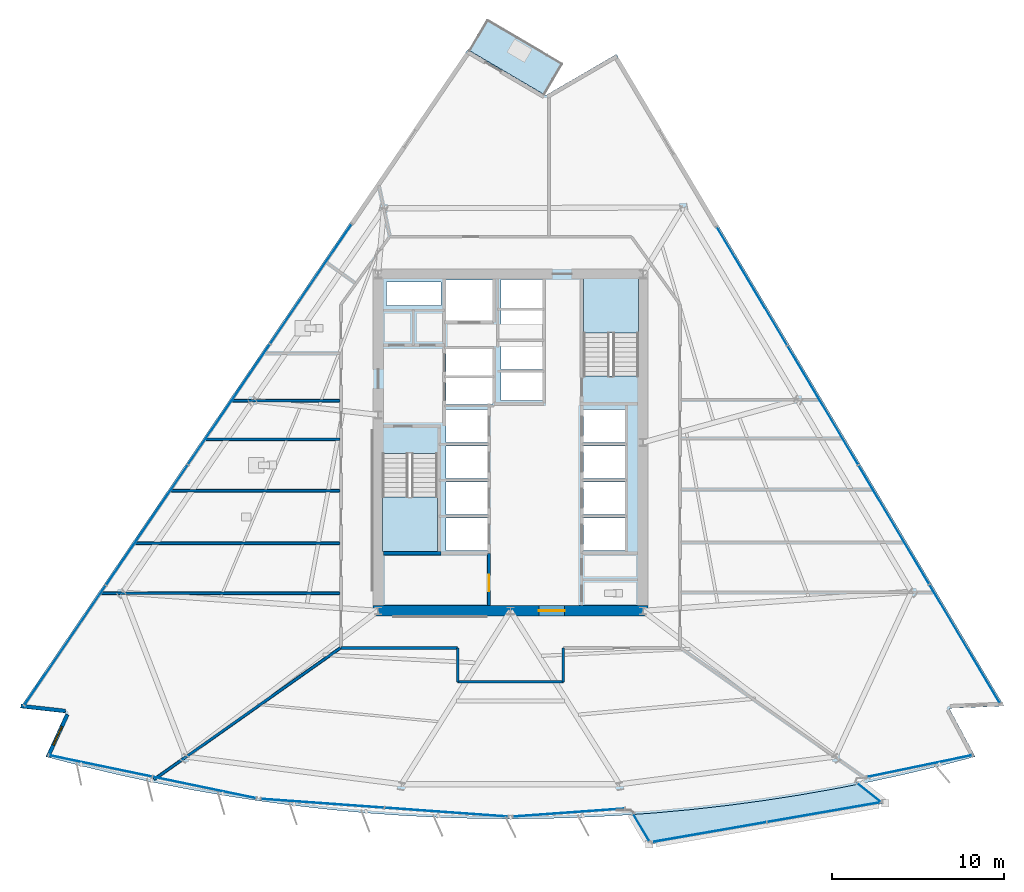
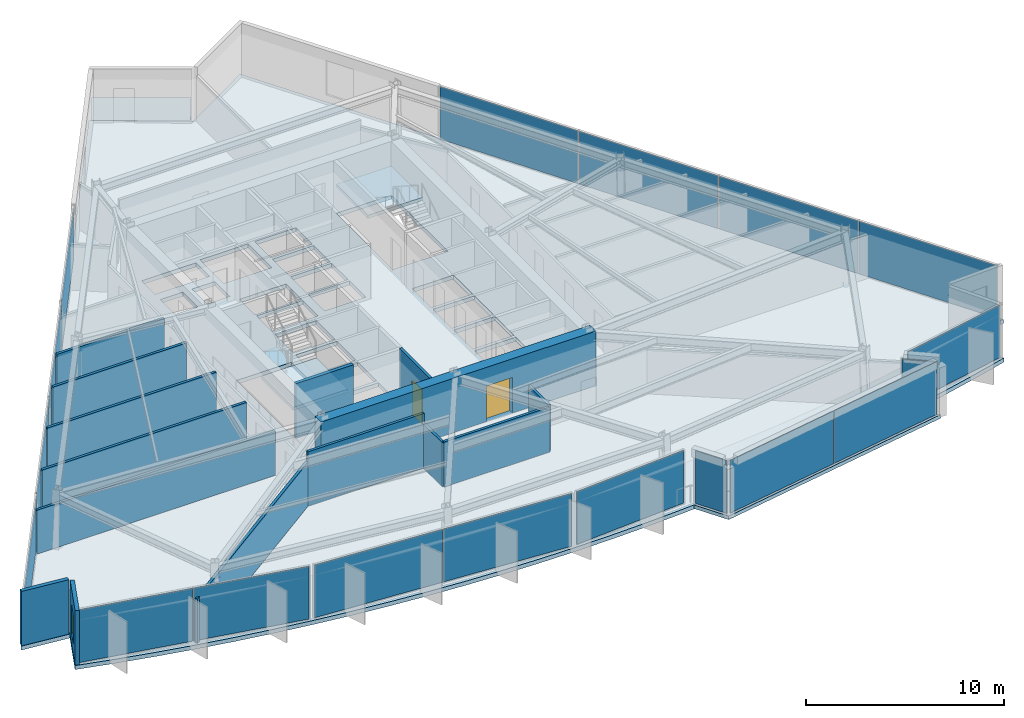
# One storey, part 7 of 15: 18 plates, 15 walls, 5 slabs, 2 doors, 1 window, 3 openings, 11 elements without a shape of their own.
"""IFC4 building model written with IfcOpenShell, lengths in metres."""

from ifc_helpers import new_model, si_unit, direction, frame, frame_2d, origin, origin_2d, place, context, subcontext, project, spatial, polyline, rectangle, outline, extrude, material, layer, layer_set, type_object, element, fill, aggregate, save


model = new_model("IFC4")

# Units and contexts
model_context = context("Model", 3, precision=1e-05, world=origin(), true_north=direction((0.0, 1.0)))
body_context = subcontext(model_context, "Body", "Model", "MODEL_VIEW")
ifc_project = project(units=[si_unit("LENGTHUNIT", "METRE"), si_unit("AREAUNIT", "SQUARE_METRE"), si_unit("VOLUMEUNIT", "CUBIC_METRE"), si_unit("PLANEANGLEUNIT", "RADIAN"), si_unit("MASSUNIT", "GRAM", prefix="KILO")], contexts=[model_context])

# Site, building, storey
site_placement = place(None, origin())
site = spatial("IfcSite", under=ifc_project, at=site_placement, CompositionType="ELEMENT")
building_placement = place(site_placement, origin())
building = spatial("IfcBuilding", under=site, at=building_placement, Name="Savorim Split Tower", CompositionType="ELEMENT")
storey_placement = place(building_placement, frame((0.0, 0.0, 96.89990234375)))
storey = spatial("IfcBuildingStorey", under=building, at=storey_placement, Name="L25", CompositionType="ELEMENT", Elevation=96.89990234375)

# Curtain wall, plates
ifc_material_1 = material(Name="Dark Ceramic-Fritted Insulated Glass", Category="glass")
curtain_wall_type_1 = type_object("IfcCurtainWallType", Name="CW-TWR-FRIT-A", PredefinedType="NOTDEFINED", material=ifc_material_1)
curtain_wall_1_placement = place(storey_placement, origin())
curtain_wall_1 = element("IfcCurtainWall", 1, at=curtain_wall_1_placement, inside=storey, type_object=curtain_wall_type_1, Name="L25 Curtain Wall CW-L25-SF1A", PredefinedType="NOTDEFINED")
ifc_layer_1 = layer(ifc_material_1, 0.028076171875)
ifc_layer_set_1 = layer_set([ifc_layer_1], Name="CWP-FRITA-28")
plate_type_1 = type_object("IfcPlateType", Name="CWP-FRITA-28", PredefinedType="CURTAIN_PANEL", material=ifc_layer_set_1)
plate_1_placement = place(storey_placement, frame((-23.858642578125, -18.420166015625, 0.05517578125), z_axis=(0.0, 0.0, 1.0), x_axis=(0.979134683898, -0.203212378529, 0.0)))
plate_1 = element("IfcPlate", 2, at=plate_1_placement, type_object=plate_type_1, Name="CW-02 panel 1.1", PredefinedType="CURTAIN_PANEL", context=body_context, shape_type="SweptSolid", body=[
    extrude(rectangle(XDim=6.112060546875, YDim=0.028076171875, at=origin_2d()), origin(), (0.0, 0.0, 1.0), 3.239990234375),
])
plate_2_placement = place(storey_placement, frame((-17.810546875, -19.675537109375, 0.05517578125), z_axis=(0.0, 0.0, 1.0), x_axis=(0.979134683898, -0.203212378529, 0.0)))
plate_2 = element("IfcPlate", 3, at=plate_2_placement, type_object=plate_type_1, Name="CW-02 panel 2.1", PredefinedType="CURTAIN_PANEL", context=body_context, shape_type="SweptSolid", body=[
    extrude(rectangle(XDim=6.112060546875, YDim=0.028076171875, at=origin_2d()), origin(), (0.0, 0.0, 1.0), 3.239990234375),
])
aggregate(curtain_wall_1, [plate_1, plate_2])

curtain_wall_2_placement = place(storey_placement, origin())
curtain_wall_2 = element("IfcCurtainWall", 4, at=curtain_wall_2_placement, inside=storey, type_object=curtain_wall_type_1, Name="L25 Curtain Wall CW-L25-SF2A", PredefinedType="NOTDEFINED")
plate_3_placement = place(storey_placement, frame((-10.936279296875, -20.595947265625, 0.05517578125), z_axis=(0.0, 0.0, 1.0), x_axis=(0.99743613418, -0.071562268211, 0.0)))
plate_3 = element("IfcPlate", 5, at=plate_3_placement, type_object=plate_type_1, Name="CW-02 panel 1.1", PredefinedType="CURTAIN_PANEL", context=body_context, shape_type="SweptSolid", body=[
    extrude(rectangle(XDim=7.161865234375, YDim=0.028076171875, at=origin_2d()), origin(), (0.0, 0.0, 1.0), 3.239990234375),
])
plate_4_placement = place(storey_placement, frame((-3.727783203125, -21.113037109375, 0.05517578125), z_axis=(0.0, 0.0, 1.0), x_axis=(0.99743613418, -0.071562268211, 0.0)))
plate_4 = element("IfcPlate", 6, at=plate_4_placement, type_object=plate_type_1, Name="CW-02 panel 2.1", PredefinedType="CURTAIN_PANEL", context=body_context, shape_type="SweptSolid", body=[
    extrude(rectangle(XDim=7.161865234375, YDim=0.028076171875, at=origin_2d()), origin(), (0.0, 0.0, 1.0), 3.239990234375),
])
aggregate(curtain_wall_2, [plate_3, plate_4])

# Curtain wall, plate
curtain_wall_3_placement = place(storey_placement, origin())
curtain_wall_3 = element("IfcCurtainWall", 7, at=curtain_wall_3_placement, inside=storey, type_object=curtain_wall_type_1, Name="L25 Curtain Wall CW-L25-SF3A", PredefinedType="NOTDEFINED")
plate_5_placement = place(storey_placement, frame((3.3857421875, -21.1376953125, 0.05517578125), z_axis=(0.0, 0.0, 1.0), x_axis=(0.997435673232, 0.071568692624, 0.0)))
plate_5 = element("IfcPlate", 8, at=plate_5_placement, type_object=plate_type_1, Name="CW-02 panel 1.1", PredefinedType="CURTAIN_PANEL", context=body_context, shape_type="SweptSolid", body=[
    extrude(rectangle(XDim=6.476318359375, YDim=0.028076171875, at=origin_2d()), origin(), (0.0, 0.0, 1.0), 3.239990234375),
])
aggregate(curtain_wall_3, [plate_5])

curtain_wall_4_placement = place(storey_placement, origin())
curtain_wall_4 = element("IfcCurtainWall", 9, at=curtain_wall_4_placement, inside=storey, type_object=curtain_wall_type_1, Name="L25 Curtain Wall CW-L25-SF4A", PredefinedType="NOTDEFINED")
plate_6_placement = place(storey_placement, frame((23.8056640625, -18.43115234375, 0.05517578125), z_axis=(0.0, 0.0, 1.0), x_axis=(0.979133423629, 0.20321845077, 0.0)))
plate_6 = element("IfcPlate", 10, at=plate_6_placement, type_object=plate_type_1, Name="CW-02 panel 1.1", PredefinedType="CURTAIN_PANEL", context=body_context, shape_type="SweptSolid", body=[
    extrude(rectangle(XDim=6.22021484375, YDim=0.028076171875, at=origin_2d()), origin(), (0.0, 0.0, 1.0), 3.239990234375),
])
aggregate(curtain_wall_4, [plate_6])

# Curtain wall, plates
curtain_wall_5_placement = place(storey_placement, origin())
curtain_wall_5 = element("IfcCurtainWall", 11, at=curtain_wall_5_placement, inside=storey, type_object=curtain_wall_type_1, Name="L25 Curtain Wall CW-L25-EAST", PredefinedType="NOTDEFINED")
plate_7_placement = place(storey_placement, frame((26.423583984375, -11.32275390625, 0.05517578125), z_axis=(0.0, 0.0, 1.0), x_axis=(-0.511094481315, 0.859524537852, 0.0)))
plate_7 = element("IfcPlate", 12, at=plate_7_placement, type_object=plate_type_1, Name="CW-02 panel 1.1", PredefinedType="CURTAIN_PANEL", context=body_context, shape_type="SweptSolid", body=[
    extrude(rectangle(XDim=7.983154296875, YDim=0.028076171875, at=origin_2d()), origin(), (0.0, 0.0, 1.0), 3.239990234375),
])
plate_8_placement = place(storey_placement, frame((22.3017578125, -4.39111328125, 0.05517578125), z_axis=(0.0, 0.0, 1.0), x_axis=(-0.511094481315, 0.859524537852, 0.0)))
plate_8 = element("IfcPlate", 13, at=plate_8_placement, type_object=plate_type_1, Name="CW-02 panel 2.1", PredefinedType="CURTAIN_PANEL", context=body_context, shape_type="SweptSolid", body=[
    extrude(rectangle(XDim=8.015625, YDim=0.028076171875, at=origin_2d()), origin(), (0.0, 0.0, 1.0), 3.239990234375),
])
plate_9_placement = place(storey_placement, frame((18.171630859375, 2.554443359375, 0.05517578125), z_axis=(0.0, 0.0, 1.0), x_axis=(-0.511094481315, 0.859524537852, 0.0)))
plate_9 = element("IfcPlate", 14, at=plate_9_placement, type_object=plate_type_1, Name="CW-02 panel 3.1", PredefinedType="CURTAIN_PANEL", context=body_context, shape_type="SweptSolid", body=[
    extrude(rectangle(XDim=8.015625, YDim=0.028076171875, at=origin_2d()), origin(), (0.0, 0.0, 1.0), 3.239990234375),
])
plate_10_placement = place(storey_placement, frame((14.050048828125, 9.486083984375, 0.05517578125), z_axis=(0.0, 0.0, 1.0), x_axis=(-0.511094481315, 0.859524537852, 0.0)))
plate_10 = element("IfcPlate", 15, at=plate_10_placement, type_object=plate_type_1, Name="CW-02 panel 4.1", PredefinedType="CURTAIN_PANEL", context=body_context, shape_type="SweptSolid", body=[
    extrude(rectangle(XDim=7.983154296875, YDim=0.028076171875, at=origin_2d()), origin(), (0.0, 0.0, 1.0), 3.239990234375),
])
aggregate(curtain_wall_5, [plate_7, plate_8, plate_9, plate_10])

curtain_wall_6_placement = place(storey_placement, origin())
curtain_wall_6 = element("IfcCurtainWall", 16, at=curtain_wall_6_placement, inside=storey, type_object=curtain_wall_type_1, Name="L25 Curtain Wall CW-L25-WEST", PredefinedType="NOTDEFINED")
plate_11_placement = place(storey_placement, frame((-11.61328125, 9.613525390625, 0.05517578125), z_axis=(0.0, 0.0, 1.0), x_axis=(-0.562467515846, -0.826819383915, 0.0)))
plate_11 = element("IfcPlate", 17, at=plate_11_placement, type_object=plate_type_1, Name="CW-02 panel 1.1", PredefinedType="CURTAIN_PANEL", context=body_context, shape_type="SweptSolid", body=[
    extrude(rectangle(XDim=8.39013671875, YDim=0.028076171875, at=origin_2d()), origin(), (0.0, 0.0, 1.0), 3.239990234375),
])
plate_12_placement = place(storey_placement, frame((-16.378173828125, 2.609375, 0.05517578125), z_axis=(0.0, 0.0, 1.0), x_axis=(-0.562467515846, -0.826819383915, 0.0)))
plate_12 = element("IfcPlate", 18, at=plate_12_placement, type_object=plate_type_1, Name="CW-02 panel 2.1", PredefinedType="CURTAIN_PANEL", context=body_context, shape_type="SweptSolid", body=[
    extrude(rectangle(XDim=8.422607421875, YDim=0.028076171875, at=origin_2d()), origin(), (0.0, 0.0, 1.0), 3.239990234375),
])
plate_13_placement = place(storey_placement, frame((-21.15234375, -4.408447265625, 0.05517578125), z_axis=(0.0, 0.0, 1.0), x_axis=(-0.562467515846, -0.826819383915, 0.0)))
plate_13 = element("IfcPlate", 19, at=plate_13_placement, type_object=plate_type_1, Name="CW-02 panel 3.1", PredefinedType="CURTAIN_PANEL", context=body_context, shape_type="SweptSolid", body=[
    extrude(rectangle(XDim=8.422607421875, YDim=0.028076171875, at=origin_2d()), origin(), (0.0, 0.0, 1.0), 3.239990234375),
])
plate_14_placement = place(storey_placement, frame((-25.917236328125, -11.412841796875, 0.05517578125), z_axis=(0.0, 0.0, 1.0), x_axis=(-0.562467515846, -0.826819383915, 0.0)))
plate_14 = element("IfcPlate", 20, at=plate_14_placement, type_object=plate_type_1, Name="CW-02 panel 4.1", PredefinedType="CURTAIN_PANEL", context=body_context, shape_type="SweptSolid", body=[
    extrude(rectangle(XDim=8.39013671875, YDim=0.028076171875, at=origin_2d()), origin(), (0.0, 0.0, 1.0), 3.239990234375),
])
aggregate(curtain_wall_6, [plate_11, plate_12, plate_13, plate_14])

curtain_wall_type_2 = type_object("IfcCurtainWallType", Name="CW-BAY-LOUNGE", PredefinedType="NOTDEFINED", material=ifc_material_1)
curtain_wall_7_placement = place(storey_placement, origin())
curtain_wall_7 = element("IfcCurtainWall", 21, at=curtain_wall_7_placement, inside=storey, type_object=curtain_wall_type_2, Name="L25 Curtain Wall CW-L25-BAYF", PredefinedType="NOTDEFINED")
ifc_material_2 = material(Name="Low-E Operable Double Glazing", Category="glass")
ifc_layer_2 = layer(ifc_material_2, 0.031982421875)
ifc_layer_set_2 = layer_set([ifc_layer_2], Name="CWP-POD-32")
plate_type_2 = type_object("IfcPlateType", Name="CWP-POD-32", PredefinedType="CURTAIN_PANEL", material=ifc_layer_set_2)
plate_15_placement = place(storey_placement, frame((11.56005859375, -22.2744140625, 0.05517578125), z_axis=(0.0, 0.0, 1.0), x_axis=(0.985237783322, 0.171191443463, 0.0)))
plate_15 = element("IfcPlate", 22, at=plate_15_placement, type_object=plate_type_2, Name="CW-04 panel 1.1", PredefinedType="CURTAIN_PANEL", context=body_context, shape_type="SweptSolid", body=[
    extrude(rectangle(XDim=6.75146484375, YDim=0.031982421875, at=origin_2d()), origin(), (0.0, 0.0, 1.0), 3.239990234375),
])
plate_16_placement = place(storey_placement, frame((18.27587890625, -21.107421875, 0.05517578125), z_axis=(0.0, 0.0, 1.0), x_axis=(0.985237783322, 0.171191443463, 0.0)))
plate_16 = element("IfcPlate", 23, at=plate_16_placement, type_object=plate_type_2, Name="CW-04 panel 2.1", PredefinedType="CURTAIN_PANEL", context=body_context, shape_type="SweptSolid", body=[
    extrude(rectangle(XDim=6.75146484375, YDim=0.031982421875, at=origin_2d()), origin(), (0.0, 0.0, 1.0), 3.239990234375),
])
aggregate(curtain_wall_7, [plate_15, plate_16])

# Curtain wall, plate
curtain_wall_8_placement = place(storey_placement, origin())
curtain_wall_8 = element("IfcCurtainWall", 24, at=curtain_wall_8_placement, inside=storey, type_object=curtain_wall_type_2, Name="L25 Curtain Wall CW-L25-BAYW", PredefinedType="NOTDEFINED")
plate_17_placement = place(storey_placement, frame((7.6083984375, -22.01171875, 0.05517578125), z_axis=(0.0, 0.0, 1.0), x_axis=(0.510761442098, -0.859722483867, 0.0)))
plate_17 = element("IfcPlate", 25, at=plate_17_placement, type_object=plate_type_2, Name="CW-04 panel 1.1", PredefinedType="CURTAIN_PANEL", context=body_context, shape_type="SweptSolid", body=[
    extrude(rectangle(XDim=1.81005859375, YDim=0.031982421875, at=origin_2d()), origin(), (0.0, 0.0, 1.0), 3.239990234375),
])
aggregate(curtain_wall_8, [plate_17])

curtain_wall_9_placement = place(storey_placement, origin())
curtain_wall_9 = element("IfcCurtainWall", 26, at=curtain_wall_9_placement, inside=storey, type_object=curtain_wall_type_2, Name="L25 Curtain Wall CW-L25-BAYE", PredefinedType="NOTDEFINED")
plate_18_placement = place(storey_placement, frame((20.85986328125, -19.976806640625, 0.05517578125), z_axis=(0.0, 0.0, 1.0), x_axis=(-0.783170949136, 0.621806452547, 0.0)))
plate_18 = element("IfcPlate", 27, at=plate_18_placement, type_object=plate_type_2, Name="CW-04 panel 1.1", PredefinedType="CURTAIN_PANEL", context=body_context, shape_type="SweptSolid", body=[
    extrude(rectangle(XDim=1.705078125, YDim=0.031982421875, at=origin_2d()), origin(), (0.0, 0.0, 1.0), 3.239990234375),
])
aggregate(curtain_wall_9, [plate_18])

# Slabs
ifc_material_3 = material(Name="Concrete C50/60", Category="concrete")
ifc_layer_3 = layer(ifc_material_3, 0.219970703125)
ifc_layer_set_3 = layer_set([ifc_layer_3], Name="SLB-BAL-220")
slab_type_1 = type_object("IfcSlabType", Name="SLB-BAL-220", PredefinedType="FLOOR", material=ifc_layer_set_3)
slab_1_placement = place(storey_placement, frame((0.0, 0.0, -0.219970703125)))
element("IfcSlab", 28, at=slab_1_placement, inside=storey, type_object=slab_type_1, Name="L25 Cantilevered Shared Kitchen Lounge Slab", PredefinedType="FLOOR", context=body_context, shape_type="SweptSolid", body=[
    extrude(outline(polyline([(20.368896484375, -19.459228515625), (18.83349609375, -19.76171875), (16.7607421875, -20.125732421875), (14.68115234375, -20.447509765625), (12.59521484375, -20.7265625), (10.504150390625, -20.962890625), (8.40869140625, -21.156494140625), (7.042236328125, -21.25439453125), (8.06884765625, -22.982666015625), (21.80126953125, -20.596435546875), (20.368896484375, -19.459228515625)])), origin(), (0.0, 0.0, 1.0), 0.219970703125),
])
slab_2_placement = place(storey_placement, frame((0.0, 0.0, -0.219970703125)))
element("IfcSlab", 29, at=slab_2_placement, inside=storey, type_object=slab_type_1, Name="L25 Notched Corner Planted Tree Balcony Slab", PredefinedType="FLOOR", context=body_context, shape_type="SweptSolid", body=[
    extrude(outline(polyline([(-2.377197265625, 23.191650390625), (1.94580078125, 20.650634765625), (2.98193359375, 22.413818359375), (-1.341064453125, 24.95458984375), (-2.377197265625, 23.191650390625)])), origin(), (0.0, 0.0, 1.0), 0.219970703125),
])

# Stair, slab
stair_type = type_object("IfcStairType", Name="STR-DOG-3600", PredefinedType="HALF_TURN_STAIR", material=ifc_material_3)
stair_1_placement = place(storey_placement, origin())
stair_1 = element("IfcStair", 30, at=stair_1_placement, inside=storey, type_object=stair_type, Name="L25 Core Protected Exit Stair ST-1", PredefinedType="HALF_TURN_STAIR")
ifc_layer_4 = layer(ifc_material_3, 0.199951171875)
ifc_layer_set_4 = layer_set([ifc_layer_4], Name="SLB-LND-200")
slab_type_2 = type_object("IfcSlabType", Name="SLB-LND-200", PredefinedType="LANDING", material=ifc_layer_set_4)
slab_3_placement = place(storey_placement, frame((0.0, 0.0, 1.60009765625)))
slab_3 = element("IfcSlab", 31, at=slab_3_placement, type_object=slab_type_2, Name="ST-1 landing 1", PredefinedType="LANDING", context=body_context, shape_type="SweptSolid", body=[
    extrude(outline(polyline([(-7.449951171875, -2.77001953125), (-7.449951171875, -5.949951171875), (-4.25, -5.949951171875), (-4.25, -2.77001953125), (-7.449951171875, -2.77001953125)])), origin(), (0.0, 0.0, 1.0), 0.199951171875),
])
aggregate(stair_1, [slab_3])

stair_2_placement = place(storey_placement, origin())
stair_2 = element("IfcStair", 32, at=stair_2_placement, inside=storey, type_object=stair_type, Name="L25 Core Protected Exit Stair ST-2", PredefinedType="HALF_TURN_STAIR")
slab_4_placement = place(storey_placement, frame((0.0, 0.0, 1.60009765625)))
slab_4 = element("IfcSlab", 33, at=slab_4_placement, type_object=slab_type_2, Name="ST-2 landing 1", PredefinedType="LANDING", context=body_context, shape_type="SweptSolid", body=[
    extrude(outline(polyline([(7.449951171875, 6.77001953125), (7.449951171875, 9.949951171875), (4.25, 9.949951171875), (4.25, 6.77001953125), (7.449951171875, 6.77001953125)])), origin(), (0.0, 0.0, 1.0), 0.199951171875),
])
aggregate(stair_2, [slab_4])

# Slab
ifc_layer_5 = layer(ifc_material_3, 0.25)
ifc_layer_set_5 = layer_set([ifc_layer_5], Name="SLB-TWR-250")
slab_type_3 = type_object("IfcSlabType", Name="SLB-TWR-250", PredefinedType="FLOOR", material=ifc_layer_set_5)
slab_5_placement = place(storey_placement, frame((0.0, 0.0, -0.25)))
element("IfcSlab", 34, at=slab_5_placement, inside=storey, type_object=slab_type_3, Name="L25 Structural Floor Slab", PredefinedType="FLOOR", context=body_context, shape_type="SweptSolid", body=[
    extrude(outline(polyline([(-27.036865234375, -17.88330078125), (-25.000732421875, -18.415771484375), (-22.954345703125, -18.90625), (-20.898193359375, -19.35498046875), (-18.83349609375, -19.76171875), (-16.7607421875, -20.125732421875), (-14.68115234375, -20.447509765625), (-12.59521484375, -20.7265625), (-10.504150390625, -20.962890625), (-8.40869140625, -21.156494140625), (-6.3095703125, -21.30712890625), (-4.207763671875, -21.414794921875), (-2.104248046875, -21.479248046875), (0.0, -21.500732421875), (2.104248046875, -21.479248046875), (4.207763671875, -21.414794921875), (6.3095703125, -21.30712890625), (8.40869140625, -21.156494140625), (10.504150390625, -20.962890625), (12.59521484375, -20.7265625), (14.68115234375, -20.447509765625), (16.7607421875, -20.125732421875), (18.83349609375, -19.76171875), (20.898193359375, -19.35498046875), (22.954345703125, -18.90625), (25.000732421875, -18.415771484375), (27.036865234375, -17.88330078125), (25.52880859375, -15.072998046875), (28.71240234375, -14.9375), (6.1630859375, 22.984619140625), (2.046875, 20.585693359375), (-2.4833984375, 23.248046875), (-28.536376953125, -15.049560546875), (-25.87158203125, -15.34716796875), (-27.036865234375, -17.88330078125)]), holes=[polyline([(-7.449951171875, -0.25390625), (-7.449951171875, -5.949951171875), (-4.25, -5.949951171875), (-4.25, -0.25390625), (-7.449951171875, -0.25390625)]), polyline([(7.449951171875, 4.25390625), (7.449951171875, 9.949951171875), (4.25, 9.949951171875), (4.25, 4.25390625), (7.449951171875, 4.25390625)]), polyline([(4.25, -5.89990234375), (6.64990234375, -5.89990234375), (6.64990234375, -4.0), (4.25, -4.0), (4.25, -5.89990234375)]), polyline([(4.25, -3.800048828125), (6.64990234375, -3.800048828125), (6.64990234375, -1.89990234375), (4.25, -1.89990234375), (4.25, -3.800048828125)]), polyline([(4.25, -1.699951171875), (6.64990234375, -1.699951171875), (6.64990234375, 0.199951171875), (4.25, 0.199951171875), (4.25, -1.699951171875)]), polyline([(4.25, 0.39990234375), (6.64990234375, 0.39990234375), (6.64990234375, 2.300048828125), (4.25, 2.300048828125), (4.25, 0.39990234375)]), polyline([(-3.75, -5.89990234375), (-1.35009765625, -5.89990234375), (-1.35009765625, -4.0), (-3.75, -4.0), (-3.75, -5.89990234375)]), polyline([(-3.75, -3.800048828125), (-1.35009765625, -3.800048828125), (-1.35009765625, -1.89990234375), (-3.75, -1.89990234375), (-3.75, -3.800048828125)]), polyline([(-3.75, -1.699951171875), (-1.35009765625, -1.699951171875), (-1.35009765625, 0.199951171875), (-3.75, 0.199951171875), (-3.75, -1.699951171875)]), polyline([(-3.75, 0.39990234375), (-1.35009765625, 0.39990234375), (-1.35009765625, 2.300048828125), (-3.75, 2.300048828125), (-3.75, 0.39990234375)]), polyline([(-0.550048828125, 2.830078125), (1.85009765625, 2.830078125), (1.85009765625, 4.469970703125), (-0.550048828125, 4.469970703125), (-0.550048828125, 2.830078125)]), polyline([(-0.550048828125, 4.6298828125), (1.85009765625, 4.6298828125), (1.85009765625, 6.27001953125), (-0.550048828125, 6.27001953125), (-0.550048828125, 4.6298828125)]), polyline([(-0.550048828125, 6.429931640625), (1.85009765625, 6.429931640625), (1.85009765625, 8.070068359375), (-0.550048828125, 8.070068359375), (-0.550048828125, 6.429931640625)]), polyline([(-0.550048828125, 8.22998046875), (1.85009765625, 8.22998046875), (1.85009765625, 9.8701171875), (-0.550048828125, 9.8701171875), (-0.550048828125, 8.22998046875)]), polyline([(-3.75, 2.60009765625), (-1.050048828125, 2.60009765625), (-1.050048828125, 4.159912109375), (-3.75, 4.159912109375), (-3.75, 2.60009765625)]), polyline([(-3.75, 4.280029296875), (-1.050048828125, 4.280029296875), (-1.050048828125, 5.840087890625), (-3.75, 5.840087890625), (-3.75, 4.280029296875)]), polyline([(-3.75, 7.449951171875), (-0.949951171875, 7.449951171875), (-0.949951171875, 9.85009765625), (-3.75, 9.85009765625), (-3.75, 7.449951171875)]), polyline([(-7.219970703125, 6.320068359375), (-5.919921875, 6.320068359375), (-5.919921875, 7.820068359375), (-7.219970703125, 7.820068359375), (-7.219970703125, 6.320068359375)]), polyline([(-5.3798828125, 6.320068359375), (-4.050048828125, 6.320068359375), (-4.050048828125, 7.820068359375), (-5.3798828125, 7.820068359375), (-5.3798828125, 6.320068359375)]), polyline([(-7.219970703125, 8.360107421875), (-4.050048828125, 8.360107421875), (-4.050048828125, 9.719970703125), (-7.219970703125, 9.719970703125), (-7.219970703125, 8.360107421875)])]), origin(), (0.0, 0.0, 1.0), 0.25),
])

# Wall, opening, door
ifc_material_4 = material(Name="Concrete C60/75", Category="concrete")
ifc_layer_6 = layer(ifc_material_4, 0.60009765625)
ifc_layer_set_6 = layer_set([ifc_layer_6], Name="WAL-COR-SH600")
wall_type_1 = type_object("IfcWallType", Name="WAL-COR-SH600", PredefinedType="SHEAR", material=ifc_layer_set_6)
wall_1_placement = place(storey_placement, frame((-8.0, -9.39990234375, 0.0), z_axis=(0.0, 0.0, 1.0), x_axis=(1.0, 0.0, 0.0)))
wall_1 = element("IfcWall", 35, at=wall_1_placement, inside=storey, type_object=wall_type_1, Name="L25 Offset Core South Shear Wall", PredefinedType="SHEAR", context=body_context, shape_type="SweptSolid", body=[
    extrude(rectangle(XDim=16.0, YDim=0.60009765625, at=frame_2d((8.0, 0.0))), origin(), (0.0, 0.0, 1.0), 3.35009765625),
])
opening_1_placement = place(wall_1_placement, frame((9.64990234375, 0.0, 0.0)))
opening_1 = element("IfcOpeningElement", 36, at=opening_1_placement, cuts=wall_1, Name="Opening DI-02", PredefinedType="OPENING", context=body_context, shape_type="SweptSolid", body=[
    extrude(rectangle(XDim=1.5, YDim=2.199951171875, at=frame_2d((0.75, 1.10009765625))), frame((0.0, 0.31005859375, 0.0), z_axis=(0.0, -1.0, 0.0), x_axis=(1.0, 0.0, 0.0)), (0.0, 0.0, 1.0), 0.6201171875),
])
ifc_material_5 = material(Name="Timber Fire Door Leaf", Category="wood")
door_type_1 = type_object("IfcDoorType", Name="DOR-DBL-1500", OperationType="NOTDEFINED", PredefinedType="DOOR", material=ifc_material_5)
door_1_placement = place(opening_1_placement, origin())
door_1 = element("IfcDoor", 37, at=door_1_placement, inside=storey, type_object=door_type_1, Name="DOR-L25-COR-LLOB - L25 Lift Lobby Main Rated Door", OperationType="DOUBLE_DOOR_SINGLE_SWING", OverallHeight=2.199951171875, OverallWidth=1.5, PredefinedType="DOOR", context=body_context, shape_type="SweptSolid", body=[
    extrude(rectangle(XDim=1.5, YDim=2.199951171875, at=frame_2d((0.75, 1.10009765625))), frame((0.0, 0.02490234375, 0.0), z_axis=(0.0, -1.0, 0.0), x_axis=(1.0, 0.0, 0.0)), (0.0, 0.0, 1.0), 0.050048828125),
])
fill(opening_1, door_1)

# Wall
ifc_material_6 = material(Name="Precast concrete C40/50", Category="concrete")
ifc_layer_7 = layer(ifc_material_6, 0.219970703125)
ifc_layer_set_7 = layer_set([ifc_layer_7], Name="WAL-EXT-CRN220")
wall_type_2 = type_object("IfcWallType", Name="WAL-EXT-CRN220", PredefinedType="SOLIDWALL", material=ifc_layer_set_7)
wall_2_placement = place(storey_placement, frame((-25.89794921875, -15.223388671875, 0.0), z_axis=(0.0, 0.0, 1.0), x_axis=(-0.993827522589, 0.110936267041, 0.0)))
element("IfcWall", 38, at=wall_2_placement, inside=storey, type_object=wall_type_2, Name="L25 Notched Corner Facade Wall SW1", PredefinedType="SOLIDWALL", context=body_context, shape_type="SweptSolid", body=[
    extrude(rectangle(XDim=2.601318359375, YDim=0.219970703125, at=frame_2d((1.30078125, 0.0))), origin(), (0.0, 0.0, 1.0), 3.35009765625),
])

# Wall, opening, window
wall_3_placement = place(storey_placement, frame((-26.9111328125, -17.89697265625, 0.0), z_axis=(0.0, 0.0, 1.0), x_axis=(0.417504190978, 0.908674997189, 0.0)))
wall_3 = element("IfcWall", 39, at=wall_3_placement, inside=storey, type_object=wall_type_2, Name="L25 Notched Corner Facade Wall SW", PredefinedType="SOLIDWALL", context=body_context, shape_type="SweptSolid", body=[
    extrude(rectangle(XDim=2.7109375, YDim=0.219970703125, at=frame_2d((1.35546875, 0.0))), origin(), (0.0, 0.0, 1.0), 3.35009765625),
])
opening_2_placement = place(wall_3_placement, frame((0.755615234375, 0.0, 0.6201171875)))
opening_2 = element("IfcOpeningElement", 40, at=opening_2_placement, cuts=wall_3, Name="Opening WN-08", PredefinedType="OPENING", context=body_context, shape_type="SweptSolid", body=[
    extrude(rectangle(XDim=1.199951171875, YDim=1.800048828125, at=frame_2d((0.60009765625, 0.89990234375))), frame((0.0, 0.119873046875, 0.0), z_axis=(0.0, -1.0, 0.0), x_axis=(1.0, 0.0, 0.0)), (0.0, 0.0, 1.0), 0.239990234375),
])
window_type = type_object("IfcWindowType", Name="WIN-TWR-1200x1800", PartitioningType="SINGLE_PANEL", PredefinedType="WINDOW", material=ifc_material_2)
window_placement = place(opening_2_placement, origin())
window = element("IfcWindow", 41, at=window_placement, inside=storey, type_object=window_type, Name="L25 Operable Corner Window SW", OverallHeight=1.800048828125, OverallWidth=1.199951171875, PartitioningType="SINGLE_PANEL", PredefinedType="WINDOW", context=body_context, shape_type="SweptSolid", body=[
    extrude(rectangle(XDim=1.199951171875, YDim=1.800048828125, at=frame_2d((0.60009765625, 0.89990234375))), frame((0.0, 0.030029296875, 0.0), z_axis=(0.0, -1.0, 0.0), x_axis=(1.0, 0.0, 0.0)), (0.0, 0.0, 1.0), 0.06005859375),
])
fill(opening_2, window)

# Wall
ifc_layer_8 = layer(ifc_material_3, 0.199951171875)
ifc_layer_set_8 = layer_set([ifc_layer_8], Name="WAL-INT-RC200")
wall_type_3 = type_object("IfcWallType", Name="WAL-INT-RC200", PredefinedType="SOLIDWALL", material=ifc_layer_set_8)
wall_4_placement = place(storey_placement, frame((-7.39990234375, -6.050048828125, 0.0), z_axis=(0.0, 0.0, 1.0), x_axis=(1.0, 0.0, 0.0)))
element("IfcWall", 42, at=wall_4_placement, inside=storey, type_object=wall_type_3, Name="L25 Structural Shaft Wall W-L25-KSEP-W", PredefinedType="SOLIDWALL", context=body_context, shape_type="SweptSolid", body=[
    extrude(rectangle(XDim=3.349853515625, YDim=0.199951171875, at=frame_2d((1.6748046875, 0.0))), origin(), (0.0, 0.0, 1.0), 3.35009765625),
])

# Wall, opening, door
ifc_material_7 = material(Name="Acoustic Gypsum Partition Board")
ifc_layer_9 = layer(ifc_material_7, 0.14990234375)
ifc_layer_set_9 = layer_set([ifc_layer_9], Name="WAL-PAR-150")
wall_type_4 = type_object("IfcWallType", Name="WAL-PAR-150", PredefinedType="PARTITIONING", material=ifc_layer_set_9)
wall_5_placement = place(storey_placement, frame((-1.25, -9.094970703125, 0.0), z_axis=(0.0, 0.0, 1.0), x_axis=(0.0, 1.0, 0.0)))
wall_5 = element("IfcWall", 43, at=wall_5_placement, inside=storey, type_object=wall_type_4, Name="L25 Partition W-L25-KLOB-W", PredefinedType="PARTITIONING", context=body_context, shape_type="SweptSolid", body=[
    extrude(rectangle(XDim=3.044921875, YDim=0.14990234375, at=frame_2d((1.5224609375, 0.0))), origin(), (0.0, 0.0, 1.0), 3.35009765625),
])
opening_3_placement = place(wall_5_placement, frame((0.844970703125, 0.0, 0.0)))
opening_3 = element("IfcOpeningElement", 44, at=opening_3_placement, cuts=wall_5, Name="Opening DI-05", PredefinedType="OPENING", context=body_context, shape_type="SweptSolid", body=[
    extrude(rectangle(XDim=0.949951171875, YDim=2.10009765625, at=frame_2d((0.47509765625, 1.050048828125))), frame((0.0, 0.0849609375, 0.0), z_axis=(0.0, -1.0, 0.0), x_axis=(1.0, 0.0, 0.0)), (0.0, 0.0, 1.0), 0.169921875),
])
door_type_2 = type_object("IfcDoorType", Name="DOR-FIR-950", OperationType="NOTDEFINED", PredefinedType="DOOR", material=ifc_material_5)
door_2_placement = place(opening_3_placement, origin())
door_2 = element("IfcDoor", 45, at=door_2_placement, inside=storey, type_object=door_type_2, Name="DR-L25-K3LIN - L25 Housekeeping Store Door", OperationType="SINGLE_SWING_LEFT", OverallHeight=2.10009765625, OverallWidth=0.949951171875, PredefinedType="DOOR", context=body_context, shape_type="SweptSolid", body=[
    extrude(rectangle(XDim=0.949951171875, YDim=2.10009765625, at=frame_2d((0.47509765625, 1.050048828125))), frame((0.0, 0.02490234375, 0.0), z_axis=(0.0, -1.0, 0.0), x_axis=(1.0, 0.0, 0.0)), (0.0, 0.0, 1.0), 0.050048828125),
])
fill(opening_3, door_2)

# Walls
wall_6_placement = place(storey_placement, frame((3.080078125, -11.56005859375, 0.0), z_axis=(0.0, 0.0, 1.0), x_axis=(0.0, -1.0, 0.0)))
element("IfcWall", 46, at=wall_6_placement, inside=storey, type_object=wall_type_4, Name="L25 Partition W-L25-COR-07", PredefinedType="PARTITIONING", context=body_context, shape_type="SweptSolid", body=[
    extrude(rectangle(XDim=1.969970703125, YDim=0.14990234375, at=frame_2d((0.98486328125, 0.0))), origin(), (0.0, 0.0, 1.0), 2.875),
])
wall_7_placement = place(storey_placement, frame((3.080078125, -13.530029296875, 0.0), z_axis=(0.0, 0.0, 1.0), x_axis=(-1.0, 0.0, 0.0)))
element("IfcWall", 47, at=wall_7_placement, inside=storey, type_object=wall_type_4, Name="L25 Partition W-L25-COR-08", PredefinedType="PARTITIONING", context=body_context, shape_type="SweptSolid", body=[
    extrude(rectangle(XDim=6.16015625, YDim=0.14990234375, at=frame_2d((3.080078125, 0.0))), origin(), (0.0, 0.0, 1.0), 2.775146484375),
])
wall_8_placement = place(storey_placement, frame((-3.080078125, -13.530029296875, 0.0), z_axis=(0.0, 0.0, 1.0), x_axis=(0.0, 1.0, 0.0)))
element("IfcWall", 48, at=wall_8_placement, inside=storey, type_object=wall_type_4, Name="L25 Partition W-L25-COR-09", PredefinedType="PARTITIONING", context=body_context, shape_type="SweptSolid", body=[
    extrude(rectangle(XDim=1.969970703125, YDim=0.14990234375, at=frame_2d((0.98486328125, 0.0))), origin(), (0.0, 0.0, 1.0), 2.72509765625),
])
wall_9_placement = place(storey_placement, frame((-3.080078125, -11.56005859375, 0.0), z_axis=(0.0, 0.0, 1.0), x_axis=(-1.0, 0.0, 0.0)))
element("IfcWall", 49, at=wall_9_placement, inside=storey, type_object=wall_type_4, Name="L25 Partition W-L25-COR-10", PredefinedType="PARTITIONING", context=body_context, shape_type="SweptSolid", body=[
    extrude(rectangle(XDim=6.780029296875, YDim=0.14990234375, at=frame_2d((3.39013671875, 0.0))), origin(), (0.0, 0.0, 1.0), 3.35009765625),
])
wall_10_placement = place(storey_placement, frame((-9.896240234375, -11.5576171875, 0.0), z_axis=(0.0, 0.0, 1.0), x_axis=(-0.816976528072, -0.57667092226, 0.0)))
element("IfcWall", 50, at=wall_10_placement, inside=storey, type_object=wall_type_4, Name="L25 Partition W-L25-PRAD01", PredefinedType="PARTITIONING", context=body_context, shape_type="SweptSolid", body=[
    extrude(rectangle(XDim=13.2744140625, YDim=0.14990234375, at=frame_2d((6.63720703125, 0.0))), origin(), (0.0, 0.0, 1.0), 2.72509765625),
])
wall_11_placement = place(storey_placement, frame((-9.919921875, 2.8232421875, 0.0), z_axis=(0.0, 0.0, 1.0), x_axis=(-1.0, 0.0, 0.0)))
element("IfcWall", 51, at=wall_11_placement, inside=storey, type_object=wall_type_4, Name="L25 Partition W-L25-PRAD09", PredefinedType="PARTITIONING", context=body_context, shape_type="SweptSolid", body=[
    extrude(rectangle(XDim=6.252197265625, YDim=0.14990234375, at=frame_2d((3.1259765625, 0.0))), origin(), (0.0, 0.0, 1.0), 2.835205078125),
])
wall_12_placement = place(storey_placement, frame((-9.919921875, -8.37646484375, 0.0), z_axis=(0.0, 0.0, 1.0), x_axis=(-1.0, 0.0, 0.0)))
element("IfcWall", 52, at=wall_12_placement, inside=storey, type_object=wall_type_4, Name="L25 Partition W-L25-PRAD10", PredefinedType="PARTITIONING", context=body_context, shape_type="SweptSolid", body=[
    extrude(rectangle(XDim=13.871337890625, YDim=0.14990234375, at=frame_2d((6.935546875, 0.0))), origin(), (0.0, 0.0, 1.0), 2.705078125),
])
wall_13_placement = place(storey_placement, frame((-9.919921875, -2.410888671875, 0.0), z_axis=(0.0, 0.0, 1.0), x_axis=(-1.0, 0.0, 0.0)))
element("IfcWall", 53, at=wall_13_placement, inside=storey, type_object=wall_type_4, Name="L25 Partition W-L25-SUB01", PredefinedType="PARTITIONING", context=body_context, shape_type="SweptSolid", body=[
    extrude(rectangle(XDim=9.81298828125, YDim=0.14990234375, at=frame_2d((4.906494140625, 0.0))), origin(), (0.0, 0.0, 1.0), 2.72509765625),
])
wall_14_placement = place(storey_placement, frame((-9.919921875, 0.57177734375, 0.0), z_axis=(0.0, 0.0, 1.0), x_axis=(-1.0, 0.0, 0.0)))
element("IfcWall", 54, at=wall_14_placement, inside=storey, type_object=wall_type_4, Name="L25 Partition W-L25-SUB04", PredefinedType="PARTITIONING", context=body_context, shape_type="SweptSolid", body=[
    extrude(rectangle(XDim=7.783935546875, YDim=0.14990234375, at=frame_2d((3.89208984375, 0.0))), origin(), (0.0, 0.0, 1.0), 2.72509765625),
])
wall_15_placement = place(storey_placement, frame((-9.919921875, -5.468994140625, 0.0), z_axis=(0.0, 0.0, 1.0), x_axis=(-1.0, 0.0, 0.0)))
element("IfcWall", 55, at=wall_15_placement, inside=storey, type_object=wall_type_4, Name="L25 Partition W-L25-SUB05", PredefinedType="PARTITIONING", context=body_context, shape_type="SweptSolid", body=[
    extrude(rectangle(XDim=11.8935546875, YDim=0.14990234375, at=frame_2d((5.94677734375, 0.0))), origin(), (0.0, 0.0, 1.0), 2.72509765625),
])

save(model, "model.ifc")
